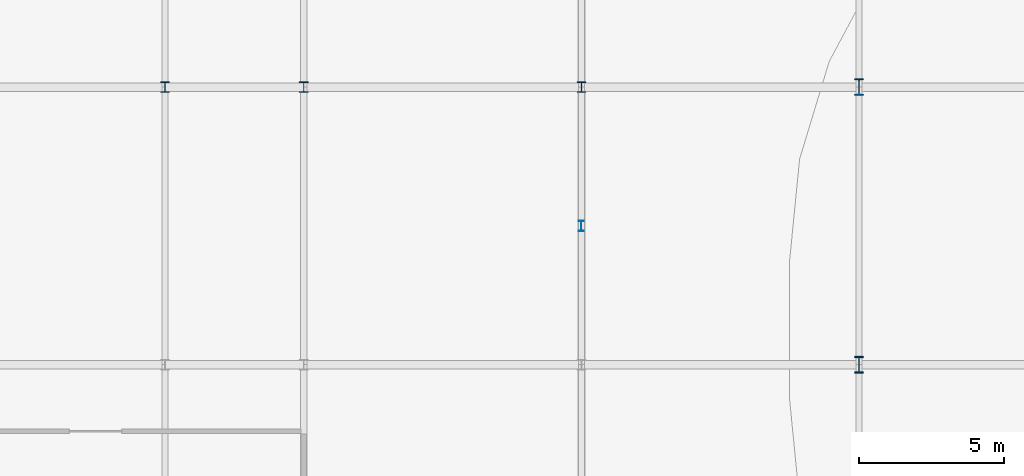
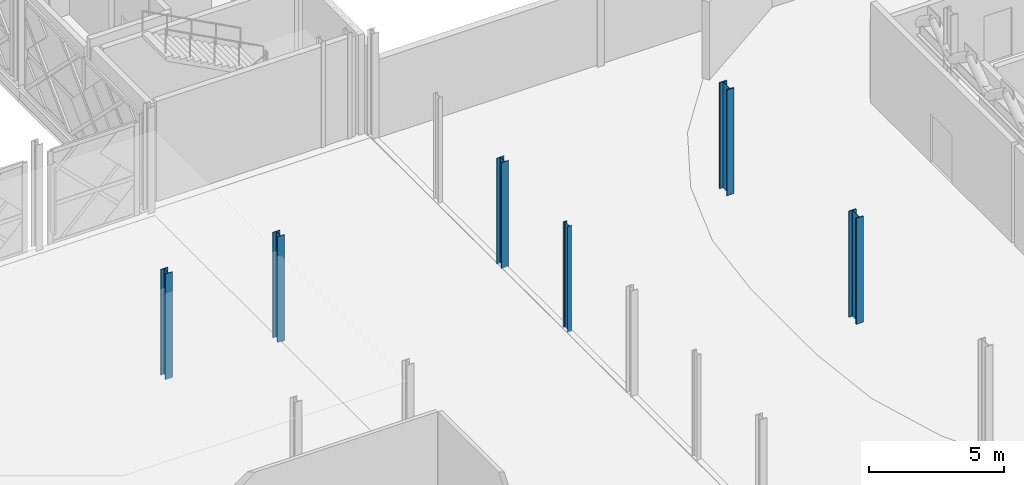
# One storey, part 5 of 77: 6 columns.
"""IFC4 building model written with IfcOpenShell, lengths in metres."""

import ifcopenshell
import ifcopenshell.guid

model = None  # the IFC model being written
_history = None  # IfcOwnerHistory: only IFC2X3 demands one
_inside = {}  # id of a spatial element -> (the spatial element, [elements in it])
_under = {}  # id of a project, library or spatial element -> (it, [spatial elements below it])
_declared = {}  # id of a project -> (the project, [libraries it declares])
_typed = {}  # id of a type object -> (the type object, [elements of that type])
_made_of = {}  # id of a material, layer set ... -> (it, [elements and type objects made of it])


def new_model(schema):
    """Start an empty IFC model of exactly this schema.

    Asked for "IFC4X3", IfcOpenShell would pick the latest addendum, in which some entities
    have other attributes; the version numbers below select the first issue.
    IFC2X3 requires an IfcOwnerHistory on every rooted entity: one is made here for all.
    """
    global model, _history
    if schema == "IFC4X3":
        model = ifcopenshell.file(schema_version=(4, 3, 0, 0))
    else:
        model = ifcopenshell.file(schema=schema)
    _inside.clear()
    _under.clear()
    _declared.clear()
    _typed.clear()
    _made_of.clear()
    _history = None
    if model.schema == "IFC2X3":
        org = make("IfcOrganization", Name="unknown")
        user = make(
            "IfcPersonAndOrganization",
            ThePerson=make("IfcPerson", FamilyName="unknown"),
            TheOrganization=org,
        )
        app = make(
            "IfcApplication",
            ApplicationDeveloper=org,
            Version="unknown",
            ApplicationFullName="unknown",
            ApplicationIdentifier="unknown",
        )
        _history = make(
            "IfcOwnerHistory",
            OwningUser=user,
            OwningApplication=app,
            ChangeAction="ADDED",
            CreationDate=0,
        )
    return model


def make(cls, **values):
    """One entity of the class cls with the attributes given. An attribute that is None is left unset."""
    return model.create_entity(
        cls, **{name: value for name, value in values.items() if value is not None}
    )


def rooted(cls, **values):
    """An entity with a GlobalId (a new one), such as an element, a storey or a relation."""
    return make(cls, GlobalId=ifcopenshell.guid.new(), OwnerHistory=_history, **values)


def si_unit(unit_type, name, prefix=None):
    """IfcSIUnit, for example si_unit("LENGTHUNIT", "METRE", prefix="MILLI")."""
    return make("IfcSIUnit", UnitType=unit_type, Prefix=prefix, Name=name)


def assignment(units):
    """IfcUnitAssignment: the units of a project."""
    return None if units is None else make("IfcUnitAssignment", Units=units)


def point(xyz):
    """IfcCartesianPoint."""
    return None if xyz is None else make("IfcCartesianPoint", Coordinates=xyz)


def direction(xyz):
    """IfcDirection."""
    return None if xyz is None else make("IfcDirection", DirectionRatios=xyz)


def frame(location, z_axis=None, x_axis=None):
    """IfcAxis2Placement3D, a coordinate frame: its origin and axes. An axis left out is left unset."""
    return make(
        "IfcAxis2Placement3D",
        Location=point(location),
        Axis=direction(z_axis),
        RefDirection=direction(x_axis),
    )


def frame_2d(location, x_axis=None):
    """IfcAxis2Placement2D, a coordinate frame in the plane: its origin and x axis."""
    return make(
        "IfcAxis2Placement2D", Location=point(location), RefDirection=direction(x_axis)
    )


def origin():
    """The frame at (0, 0, 0) with its axes left unset."""
    return frame((0.0, 0.0, 0.0))


def origin_2d():
    """The frame at (0, 0) in the plane with its x axis left unset."""
    return frame_2d((0.0, 0.0))


def place(relative_to, where):
    """IfcLocalPlacement: puts the frame where relative to a parent placement (None: the world)."""
    return make(
        "IfcLocalPlacement", PlacementRelTo=relative_to, RelativePlacement=where
    )


def context(
    kind, dimensions, precision=None, world=None, true_north=None, identifier=None
):
    """IfcGeometricRepresentationContext, for example the 3D "Model" context."""
    return make(
        "IfcGeometricRepresentationContext",
        ContextIdentifier=identifier,
        ContextType=kind,
        CoordinateSpaceDimension=dimensions,
        Precision=precision,
        WorldCoordinateSystem=world,
        TrueNorth=true_north,
    )


def subcontext(parent, identifier, kind, view, scale=None):
    """IfcGeometricRepresentationSubContext, for example "Body" below "Model"."""
    return make(
        "IfcGeometricRepresentationSubContext",
        ContextIdentifier=identifier,
        ContextType=kind,
        ParentContext=parent,
        TargetScale=scale,
        TargetView=view,
    )


def project(units=None, contexts=None):
    """IfcProject with its units and contexts."""
    return rooted(
        "IfcProject",
        Name="project",
        RepresentationContexts=contexts,
        UnitsInContext=assignment(units),
    )


def spatial(cls, under=None, at=None, **own):
    """A site, building, storey or space (cls), placed at a placement, below another one or the project."""
    s = rooted(cls, ObjectPlacement=at, **own)
    if under is not None:
        _under.setdefault(under.id(), (under, []))[1].append(s)
    return s


def profile(cls, at=None, kind="AREA", **sizes):
    """A parametric profile (cls). Its sizes go by their IFC names, for example OverallWidth=200.0."""
    return make(cls, ProfileType=kind, Position=at, **sizes)


def i_section(**sizes):
    """IfcIShapeProfileDef."""
    return profile("IfcIShapeProfileDef", **sizes)


def extrude(swept, where, along, depth):
    """IfcExtrudedAreaSolid: the profile swept, set in the frame where, extruded along a direction by depth."""
    return make(
        "IfcExtrudedAreaSolid",
        SweptArea=swept,
        Position=where,
        ExtrudedDirection=direction(along),
        Depth=depth,
    )


def shape(context_of_items, identifier, shape_type, items):
    """IfcShapeRepresentation: the items that make up one representation, for example the "Body"."""
    return make(
        "IfcShapeRepresentation",
        ContextOfItems=context_of_items,
        RepresentationIdentifier=identifier,
        RepresentationType=shape_type,
        Items=items,
    )


def material(Name=None, Category=None):
    """IfcMaterial."""
    return make("IfcMaterial", Name=Name, Category=Category)


def material_profile(
    of_material, cross_section, Name=None, Category=None, Priority=None
):
    """IfcMaterialProfile: a cross section and its material."""
    return make(
        "IfcMaterialProfile",
        Name=Name,
        Material=of_material,
        Profile=cross_section,
        Priority=Priority,
        Category=Category,
    )


def profile_set(profiles, Name=None, composite=None):
    """IfcMaterialProfileSet."""
    return make(
        "IfcMaterialProfileSet",
        Name=Name,
        MaterialProfiles=profiles,
        CompositeProfile=composite,
    )


def made_of(thing, what):
    """Note that an element or type object is made of a material, layer set ...; save() writes the relation."""
    if what is not None:
        _made_of.setdefault(what.id(), (what, []))[1].append(thing)
    return thing


def type_object(cls, material=None, **own):
    """A type object (cls), such as IfcWallType, which elements share."""
    return made_of(rooted(cls, **own), material)


def element(
    cls,
    number,
    at=None,
    inside=None,
    cuts=None,
    type_object=None,
    material=None,
    context=None,
    identifier="Body",
    shape_type=None,
    held_by="IfcProductDefinitionShape",
    body=None,
    shapes=None,
    **own,
):
    """One element of the class cls, such as IfcWall. Its Tag is "e" and its number.

    at: its placement. inside: the storey or other place that contains it. cuts: it is an
    opening in that element (IfcRelVoidsElement). A single representation is given by context,
    identifier, shape_type and body (its items); several are given by shapes. held_by: the class
    of the entity that holds the representations. save() writes the other relations.
    """
    e = rooted(cls, Tag="e%d" % number, ObjectPlacement=at, **own)
    if body is not None:
        shapes = [shape(context, identifier, shape_type, body)]
    if shapes is not None:
        e.Representation = make(held_by, Representations=shapes)
    if inside is not None:
        _inside.setdefault(inside.id(), (inside, []))[1].append(e)
    if cuts is not None:
        rooted(
            "IfcRelVoidsElement", RelatingBuildingElement=cuts, RelatedOpeningElement=e
        )
    if type_object is not None:
        _typed.setdefault(type_object.id(), (type_object, []))[1].append(e)
    return made_of(e, material)


def aggregate(whole, parts):
    """IfcRelAggregates: a whole, such as a stair, and the parts it consists of."""
    return rooted("IfcRelAggregates", RelatingObject=whole, RelatedObjects=parts)


def save(model, path):
    """Write the relations noted so far, then the file.

    IfcRelAggregates (storeys below a building ...), IfcRelContainedInSpatialStructure (elements
    in a storey), IfcRelDefinesByType, IfcRelAssociatesMaterial and IfcRelDeclares: one each for
    every whole, place, type object, material and project.
    """
    for whole, parts in _under.values():
        aggregate(whole, parts)
    for where, things in _inside.values():
        rooted(
            "IfcRelContainedInSpatialStructure",
            RelatedElements=things,
            RelatingStructure=where,
        )
    for kind, things in _typed.values():
        rooted("IfcRelDefinesByType", RelatedObjects=things, RelatingType=kind)
    for what, things in _made_of.values():
        rooted("IfcRelAssociatesMaterial", RelatedObjects=things, RelatingMaterial=what)
    for by, libraries in _declared.values():
        rooted("IfcRelDeclares", RelatingContext=by, RelatedDefinitions=libraries)
    model.write(path)


model = new_model("IFC4")

# Units and contexts
model_context = context("Model", 3, precision=1e-05, world=origin(), true_north=direction((0.0, 1.0)))
body_context = subcontext(model_context, "Body", "Model", "MODEL_VIEW")
ifc_project = project(units=[si_unit("LENGTHUNIT", "METRE"), si_unit("AREAUNIT", "SQUARE_METRE"), si_unit("VOLUMEUNIT", "CUBIC_METRE"), si_unit("PLANEANGLEUNIT", "RADIAN"), si_unit("MASSUNIT", "GRAM", prefix="KILO")], contexts=[model_context])

# Site, building, storey
site_placement = place(None, origin())
site = spatial("IfcSite", under=ifc_project, at=site_placement, CompositionType="ELEMENT")
building_placement = place(site_placement, origin())
building = spatial("IfcBuilding", under=site, at=building_placement, Name="Zevrakil Square Congress Hotel", CompositionType="ELEMENT")
storey_placement = place(building_placement, frame((0.0, 0.0, 9.89990234375)))
storey = spatial("IfcBuildingStorey", under=building, at=storey_placement, Name="L03", CompositionType="ELEMENT", Elevation=9.89990234375)

# Columns
ifc_material_1 = material(Name="Steel S355", Category="steel")
ifc_material_profile_1 = material_profile(ifc_material_1, i_section(OverallWidth=0.300048828125, OverallDepth=0.360107421875, WebThickness=0.012451171875, FlangeThickness=0.0224609375, FilletRadius=0.027099609375, at=origin_2d()), Name="HEB 360")
ifc_profile_set_1 = profile_set([ifc_material_profile_1], Name="Steel S355")
column_type_1 = type_object("IfcColumnType", Name="COL-HEB360", PredefinedType="COLUMN", material=ifc_profile_set_1)
for number, where, z_axis, x_axis, name in (
    (1, (103.199951171875, 36.0, 0.0), (0.0, 0.0, 1.0), (1.0, 0.0, 0.0), "L03 column C-153"),
    (2, (108.0, 36.0, 0.0), (0.0, 0.0, 1.0), (1.0, 0.0, 0.0), "L03 column C-167"),
    (3, (117.60009765625, 36.0, 0.0), (0.0, 0.0, 1.0), (1.0, 0.0, 0.0), "L03 column C-184"),
):
    element("IfcColumn", number, at=place(storey_placement, frame(where, z_axis=z_axis, x_axis=x_axis)), inside=storey, type_object=column_type_1, Name=name, PredefinedType="COLUMN", context=body_context, shape_type="SweptSolid", body=[
        extrude(i_section(OverallWidth=0.300048828125, OverallDepth=0.360107421875, WebThickness=0.012451171875, FlangeThickness=0.0224609375, FilletRadius=0.027099609375, at=origin_2d()), origin(), (0.0, 0.0, 1.0), 4.800048828125),
    ])
ifc_material_2 = material(Name="Steel S355", Category="steel")
ifc_material_profile_2 = material_profile(ifc_material_2, i_section(OverallWidth=0.305908203125, OverallDepth=0.572021484375, WebThickness=0.02099609375, FlangeThickness=0.0400390625, FilletRadius=0.027099609375, at=origin_2d()), Name="HEM 550")
ifc_profile_set_2 = profile_set([ifc_material_profile_2], Name="Steel S355")
column_type_2 = type_object("IfcColumnType", Name="COL-HEM550", PredefinedType="COLUMN", material=ifc_profile_set_2)
for number, where, z_axis, x_axis, name in (
    (4, (127.199951171875, 26.39990234375, 0.0), (0.0, 0.0, 1.0), (1.0, 0.0, 0.0), "L03 column C-198"),
    (5, (127.199951171875, 36.0, 0.0), (0.0, 0.0, 1.0), (1.0, 0.0, 0.0), "L03 column C-199"),
):
    element("IfcColumn", number, at=place(storey_placement, frame(where, z_axis=z_axis, x_axis=x_axis)), inside=storey, type_object=column_type_2, Name=name, PredefinedType="COLUMN", context=body_context, shape_type="SweptSolid", body=[
        extrude(i_section(OverallWidth=0.305908203125, OverallDepth=0.572021484375, WebThickness=0.02099609375, FlangeThickness=0.0400390625, FilletRadius=0.027099609375, at=origin_2d()), origin(), (0.0, 0.0, 1.0), 4.800048828125),
    ])
ifc_material_3 = material(Name="Steel S355", Category="steel")
ifc_material_profile_3 = material_profile(ifc_material_3, i_section(OverallWidth=0.169921875, OverallDepth=0.360107421875, WebThickness=0.008056640625, FlangeThickness=0.0126953125, FilletRadius=0.01806640625, at=origin_2d()), Name="IPE 360")
ifc_profile_set_3 = profile_set([ifc_material_profile_3], Name="Steel S355")
column_type_3 = type_object("IfcColumnType", Name="COL-PILASTER-SHS180", PredefinedType="PILASTER", material=ifc_profile_set_3)
column_placement = place(storey_placement, frame((117.60009765625, 31.199951171875, 0.0), z_axis=(0.0, 0.0, 1.0), x_axis=(1.0, 0.0, 0.0)))
element("IfcColumn", 6, at=column_placement, inside=storey, type_object=column_type_3, Name="L03 pilaster PL-07", PredefinedType="PILASTER", context=body_context, shape_type="SweptSolid", body=[
    extrude(i_section(OverallWidth=0.169921875, OverallDepth=0.360107421875, WebThickness=0.008056640625, FlangeThickness=0.0126953125, FilletRadius=0.01806640625, at=origin_2d()), origin(), (0.0, 0.0, 1.0), 4.800048828125),
])

save(model, "model.ifc")
